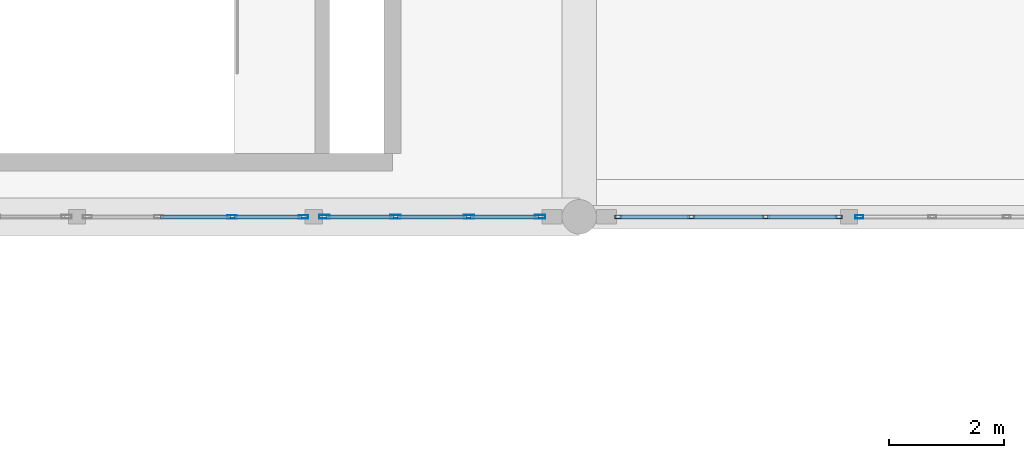
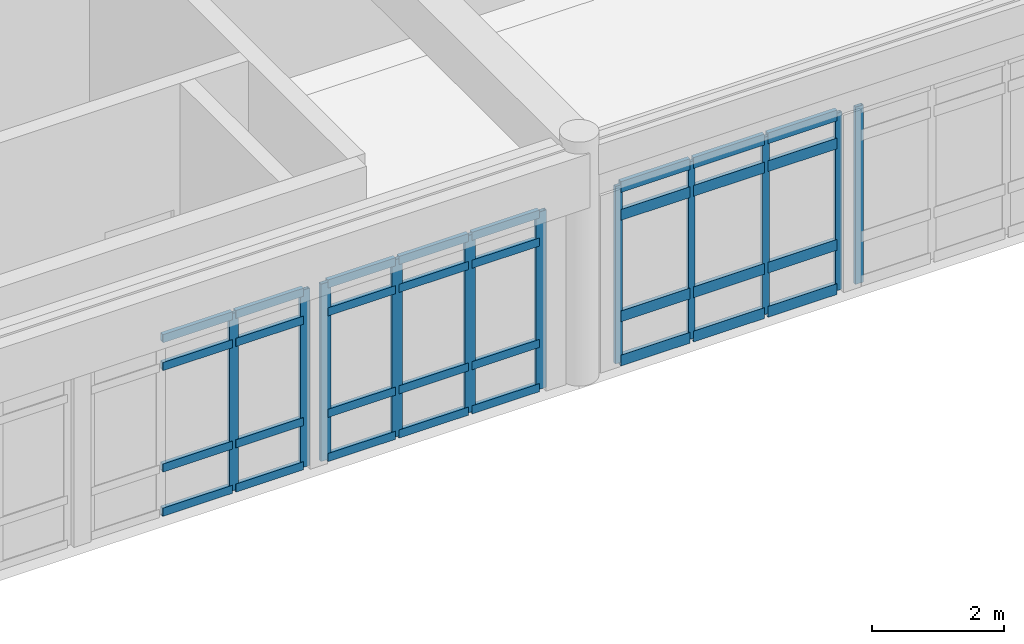
# One storey, part 42 of 109: 43 members, 4 elements without a shape of their own.
"""IFC4 building model written with IfcOpenShell, lengths in metres."""

from ifc_helpers import new_model, si_unit, direction, frame, origin, origin_2d, place, context, subcontext, project, spatial, hollow_rectangle, extrude, material, layer, layer_set, material_profile, profile_set, type_object, element, aggregate, save


model = new_model("IFC4")

# Units and contexts
model_context = context("Model", 3, precision=1e-05, world=origin(), true_north=direction((0.0, 1.0)))
body_context = subcontext(model_context, "Body", "Model", "MODEL_VIEW")
ifc_project = project(units=[si_unit("LENGTHUNIT", "METRE"), si_unit("AREAUNIT", "SQUARE_METRE"), si_unit("VOLUMEUNIT", "CUBIC_METRE"), si_unit("PLANEANGLEUNIT", "RADIAN"), si_unit("MASSUNIT", "GRAM", prefix="KILO")], contexts=[model_context])

# Site, building, storey
site_placement = place(None, origin())
site = spatial("IfcSite", under=ifc_project, at=site_placement, CompositionType="ELEMENT")
building_placement = place(site_placement, origin())
building = spatial("IfcBuilding", under=site, at=building_placement, Name="Fikremerkos Civic Library", CompositionType="ELEMENT")
storey_placement = place(building_placement, frame((0.0, 0.0, 5.39990234375)))
storey = spatial("IfcBuildingStorey", under=building, at=storey_placement, Name="L01", CompositionType="ELEMENT", Elevation=5.39990234375)

# Curtain wall, members
ifc_material = material(Name="Anodized aluminium Frame", Category="aluminium")
ifc_layer_1 = layer(ifc_material, 0.159912109375, Name="Anodized aluminium Frame")
ifc_layer_set_1 = layer_set([ifc_layer_1], Name="Anodized aluminium Frame")
curtain_wall_type_1 = type_object("IfcCurtainWallType", Name="Unitised curtain wall CW-17 4600x3600", PredefinedType="USERDEFINED", material=ifc_layer_set_1)
curtain_wall_1_placement = place(storey_placement, origin())
curtain_wall_1 = element("IfcCurtainWall", 1, at=curtain_wall_1_placement, inside=storey, type_object=curtain_wall_type_1, Name="Unitised curtain wall CW-17 L01 #125", ObjectType="UNITISED CURTAIN WALL", PredefinedType="USERDEFINED")
ifc_material_profile_1 = material_profile(ifc_material, hollow_rectangle(XDim=0.06494140625, YDim=0.179931640625, WallThickness=0.00439453125, at=origin_2d()), Name="ALU 180x65x4.5")
ifc_profile_set_1 = profile_set([ifc_material_profile_1], Name="Anodized aluminium Frame")
member_type_1 = type_object("IfcMemberType", Name="Curtain mullion CWM-01 ALU 180x65x4.5", PredefinedType="MULLION", material=ifc_profile_set_1)
member_1_placement = place(storey_placement, frame((86.01953125, 96.0, 0.0), z_axis=(0.0, 0.0, 1.0), x_axis=(0.0, -1.0, 0.0)))
member_1 = element("IfcMember", 2, at=member_1_placement, type_object=member_type_1, Name="CW-17 mullion 1", PredefinedType="MULLION", context=body_context, shape_type="SweptSolid", body=[
    extrude(hollow_rectangle(XDim=0.06494140625, YDim=0.179931640625, WallThickness=0.00439453125, at=origin_2d()), origin(), (0.0, 0.0, 1.0), 3.27001953125),
])
member_2_placement = place(storey_placement, frame((84.779296875, 96.0, 0.0), z_axis=(0.0, 0.0, 1.0), x_axis=(0.0, -1.0, 0.0)))
member_2 = element("IfcMember", 3, at=member_2_placement, type_object=member_type_1, Name="CW-17 mullion 2", PredefinedType="MULLION", context=body_context, shape_type="SweptSolid", body=[
    extrude(hollow_rectangle(XDim=0.06494140625, YDim=0.179931640625, WallThickness=0.00439453125, at=origin_2d()), origin(), (0.0, 0.0, 1.0), 3.27001953125),
])
member_3_placement = place(storey_placement, frame((83.506591796875, 96.0, 0.0), z_axis=(0.0, 0.0, 1.0), x_axis=(0.0, -1.0, 0.0)))
member_3 = element("IfcMember", 4, at=member_3_placement, type_object=member_type_1, Name="CW-17 mullion 3", PredefinedType="MULLION", context=body_context, shape_type="SweptSolid", body=[
    extrude(hollow_rectangle(XDim=0.06494140625, YDim=0.179931640625, WallThickness=0.00439453125, at=origin_2d()), origin(), (0.0, 0.0, 1.0), 3.27001953125),
])
member_4_placement = place(storey_placement, frame((82.2666015625, 96.0, 0.0), z_axis=(0.0, 0.0, 1.0), x_axis=(0.0, -1.0, 0.0)))
member_4 = element("IfcMember", 5, at=member_4_placement, type_object=member_type_1, Name="CW-17 mullion 4", PredefinedType="MULLION", context=body_context, shape_type="SweptSolid", body=[
    extrude(hollow_rectangle(XDim=0.06494140625, YDim=0.179931640625, WallThickness=0.00439453125, at=origin_2d()), origin(), (0.0, 0.0, 1.0), 3.27001953125),
])

ifc_layer_2 = layer(ifc_material, 0.159912109375, Name="Anodized aluminium Frame")
ifc_layer_set_2 = layer_set([ifc_layer_2], Name="Anodized aluminium Frame")
curtain_wall_type_2 = type_object("IfcCurtainWallType", Name="Unitised curtain wall CW-18 2700x3400", PredefinedType="USERDEFINED", material=ifc_layer_set_2)
curtain_wall_2_placement = place(storey_placement, origin())
curtain_wall_2 = element("IfcCurtainWall", 6, at=curtain_wall_2_placement, inside=storey, type_object=curtain_wall_type_2, Name="Unitised curtain wall CW-18 L01 #126", ObjectType="UNITISED CURTAIN WALL", PredefinedType="USERDEFINED")
ifc_material_profile_2 = material_profile(ifc_material, hollow_rectangle(XDim=0.06005859375, YDim=0.159912109375, WallThickness=0.00390625, at=origin_2d()), Name="ALU 160x60x4")
ifc_profile_set_2 = profile_set([ifc_material_profile_2], Name="Anodized aluminium Frame")
member_type_2 = type_object("IfcMemberType", Name="Curtain mullion CWM-02 ALU 160x60x4", PredefinedType="MULLION", material=ifc_profile_set_2)
member_5_placement = place(storey_placement, frame((81.904052734375, 96.0, 0.0), z_axis=(0.0, 0.0, 1.0), x_axis=(0.0, -1.0, 0.0)))
member_5 = element("IfcMember", 7, at=member_5_placement, type_object=member_type_2, Name="CW-18 mullion 1", PredefinedType="MULLION", context=body_context, shape_type="SweptSolid", body=[
    extrude(hollow_rectangle(XDim=0.06005859375, YDim=0.159912109375, WallThickness=0.00390625, at=origin_2d()), origin(), (0.0, 0.0, 1.0), 3.27001953125),
])
member_6_placement = place(storey_placement, frame((80.661376953125, 96.0, 0.0), z_axis=(0.0, 0.0, 1.0), x_axis=(0.0, -1.0, 0.0)))
member_6 = element("IfcMember", 8, at=member_6_placement, type_object=member_type_2, Name="CW-18 mullion 2", PredefinedType="MULLION", context=body_context, shape_type="SweptSolid", body=[
    extrude(hollow_rectangle(XDim=0.06005859375, YDim=0.159912109375, WallThickness=0.00390625, at=origin_2d()), origin(), (0.0, 0.0, 1.0), 3.27001953125),
])

# Curtain wall, member
ifc_layer_3 = layer(ifc_material, 0.159912109375, Name="Anodized aluminium Frame")
ifc_layer_set_3 = layer_set([ifc_layer_3], Name="Anodized aluminium Frame")
curtain_wall_type_3 = type_object("IfcCurtainWallType", Name="Unitised curtain wall CW-15 2900x3600", PredefinedType="USERDEFINED", material=ifc_layer_set_3)
curtain_wall_3_placement = place(storey_placement, origin())
curtain_wall_3 = element("IfcCurtainWall", 9, at=curtain_wall_3_placement, inside=storey, type_object=curtain_wall_type_3, Name="Unitised curtain wall CW-15 L01 #123", ObjectType="UNITISED CURTAIN WALL", PredefinedType="USERDEFINED")
ifc_material_profile_3 = material_profile(ifc_material, hollow_rectangle(XDim=0.06005859375, YDim=0.139892578125, WallThickness=0.00390625, at=origin_2d()), Name="ALU 140x60x4")
ifc_profile_set_3 = profile_set([ifc_material_profile_3], Name="Anodized aluminium Frame")
member_type_3 = type_object("IfcMemberType", Name="Curtain mullion CWM-03 ALU 140x60x4", PredefinedType="MULLION", material=ifc_profile_set_3)
member_7_placement = place(storey_placement, frame((91.571044921875, 96.0, 0.0), z_axis=(0.0, 0.0, 1.0), x_axis=(0.0, -1.0, 0.0)))
member_7 = element("IfcMember", 10, at=member_7_placement, type_object=member_type_3, Name="CW-15 mullion 4", PredefinedType="MULLION", context=body_context, shape_type="SweptSolid", body=[
    extrude(hollow_rectangle(XDim=0.06005859375, YDim=0.139892578125, WallThickness=0.00390625, at=origin_2d()), origin(), (0.0, 0.0, 1.0), 3.27001953125),
])
aggregate(curtain_wall_3, [member_7])

# Curtain wall, members
ifc_layer_4 = layer(ifc_material, 0.159912109375, Name="Anodized aluminium Frame")
ifc_layer_set_4 = layer_set([ifc_layer_4], Name="Anodized aluminium Frame")
curtain_wall_type_4 = type_object("IfcCurtainWallType", Name="Unitised curtain wall CW-16 3100x4100", PredefinedType="USERDEFINED", material=ifc_layer_set_4)
curtain_wall_4_placement = place(storey_placement, origin())
curtain_wall_4 = element("IfcCurtainWall", 11, at=curtain_wall_4_placement, inside=storey, type_object=curtain_wall_type_4, Name="Unitised curtain wall CW-16 L01 #124", ObjectType="UNITISED CURTAIN WALL", PredefinedType="USERDEFINED")
ifc_material_profile_4 = material_profile(ifc_material, hollow_rectangle(XDim=0.06005859375, YDim=0.1201171875, WallThickness=0.00390625, at=origin_2d()), Name="ALU 120x60x4")
ifc_profile_set_4 = profile_set([ifc_material_profile_4], Name="Anodized aluminium Frame")
member_type_4 = type_object("IfcMemberType", Name="Curtain mullion CWM-04 ALU 120x60x4", PredefinedType="MULLION", material=ifc_profile_set_4)
member_8_placement = place(storey_placement, frame((91.2109375, 96.0, 0.0), z_axis=(0.0, 0.0, 1.0), x_axis=(0.0, -1.0, 0.0)))
member_8 = element("IfcMember", 12, at=member_8_placement, type_object=member_type_4, Name="CW-16 mullion 1", PredefinedType="MULLION", context=body_context, shape_type="SweptSolid", body=[
    extrude(hollow_rectangle(XDim=0.06005859375, YDim=0.1201171875, WallThickness=0.00390625, at=origin_2d()), origin(), (0.0, 0.0, 1.0), 3.27001953125),
])
member_9_placement = place(storey_placement, frame((89.943359375, 96.0, 0.0), z_axis=(0.0, 0.0, 1.0), x_axis=(0.0, -1.0, 0.0)))
member_9 = element("IfcMember", 13, at=member_9_placement, type_object=member_type_4, Name="CW-16 mullion 2", PredefinedType="MULLION", context=body_context, shape_type="SweptSolid", body=[
    extrude(hollow_rectangle(XDim=0.06005859375, YDim=0.1201171875, WallThickness=0.00390625, at=origin_2d()), origin(), (0.0, 0.0, 1.0), 3.27001953125),
])
member_10_placement = place(storey_placement, frame((88.645751953125, 96.0, 0.0), z_axis=(0.0, 0.0, 1.0), x_axis=(0.0, -1.0, 0.0)))
member_10 = element("IfcMember", 14, at=member_10_placement, type_object=member_type_4, Name="CW-16 mullion 3", PredefinedType="MULLION", context=body_context, shape_type="SweptSolid", body=[
    extrude(hollow_rectangle(XDim=0.06005859375, YDim=0.1201171875, WallThickness=0.00390625, at=origin_2d()), origin(), (0.0, 0.0, 1.0), 3.27001953125),
])
member_11_placement = place(storey_placement, frame((87.3779296875, 96.0, 0.0), z_axis=(0.0, 0.0, 1.0), x_axis=(0.0, -1.0, 0.0)))
member_11 = element("IfcMember", 15, at=member_11_placement, type_object=member_type_4, Name="CW-16 mullion 4", PredefinedType="MULLION", context=body_context, shape_type="SweptSolid", body=[
    extrude(hollow_rectangle(XDim=0.06005859375, YDim=0.1201171875, WallThickness=0.00390625, at=origin_2d()), origin(), (0.0, 0.0, 1.0), 3.27001953125),
])

# Member
ifc_material_profile_5 = material_profile(ifc_material, hollow_rectangle(XDim=0.070068359375, YDim=0.14990234375, WallThickness=0.00439453125, at=origin_2d()), Name="ALU 150x70x4.5")
ifc_profile_set_5 = profile_set([ifc_material_profile_5], Name="Anodized aluminium Frame")
member_type_5 = type_object("IfcMemberType", Name="Curtain transom CWT-01 ALU 150x70x4.5", PredefinedType="USERDEFINED", material=ifc_profile_set_5)
member_12_placement = place(storey_placement, frame((85.987060546875, 96.0, 0.03515625), z_axis=(-1.0, 0.0, 0.0), x_axis=(0.0, -1.0, 0.0)))
member_12 = element("IfcMember", 16, at=member_12_placement, type_object=member_type_5, Name="CW-17 transom 1.1", ObjectType="TRANSOM", PredefinedType="USERDEFINED", context=body_context, shape_type="SweptSolid", body=[
    extrude(hollow_rectangle(XDim=0.070068359375, YDim=0.14990234375, WallThickness=0.00439453125, at=origin_2d()), origin(), (0.0, 0.0, 1.0), 1.17529296875),
])

member_13_placement = place(storey_placement, frame((85.987060546875, 96.0, 0.85009765625), z_axis=(-1.0, 0.0, 0.0), x_axis=(0.0, -1.0, 0.0)))
member_13 = element("IfcMember", 17, at=member_13_placement, type_object=member_type_5, Name="CW-17 transom 1.2", ObjectType="TRANSOM", PredefinedType="USERDEFINED", context=body_context, shape_type="SweptSolid", body=[
    extrude(hollow_rectangle(XDim=0.070068359375, YDim=0.14990234375, WallThickness=0.00439453125, at=origin_2d()), origin(), (0.0, 0.0, 1.0), 1.17529296875),
])

member_14_placement = place(storey_placement, frame((85.987060546875, 96.0, 2.72021484375), z_axis=(-1.0, 0.0, 0.0), x_axis=(0.0, -1.0, 0.0)))
member_14 = element("IfcMember", 18, at=member_14_placement, type_object=member_type_5, Name="CW-17 transom 1.3", ObjectType="TRANSOM", PredefinedType="USERDEFINED", context=body_context, shape_type="SweptSolid", body=[
    extrude(hollow_rectangle(XDim=0.070068359375, YDim=0.14990234375, WallThickness=0.00439453125, at=origin_2d()), origin(), (0.0, 0.0, 1.0), 1.17529296875),
])

member_15_placement = place(storey_placement, frame((85.987060546875, 96.0, 3.235107421875), z_axis=(-1.0, 0.0, 0.0), x_axis=(0.0, -1.0, 0.0)))
member_15 = element("IfcMember", 19, at=member_15_placement, type_object=member_type_5, Name="CW-17 transom 1.4", ObjectType="TRANSOM", PredefinedType="USERDEFINED", context=body_context, shape_type="SweptSolid", body=[
    extrude(hollow_rectangle(XDim=0.070068359375, YDim=0.14990234375, WallThickness=0.00439453125, at=origin_2d()), origin(), (0.0, 0.0, 1.0), 1.17529296875),
])

member_16_placement = place(storey_placement, frame((84.746826171875, 96.0, 0.03515625), z_axis=(-1.0, 0.0, 0.0), x_axis=(0.0, -1.0, 0.0)))
member_16 = element("IfcMember", 20, at=member_16_placement, type_object=member_type_5, Name="CW-17 transom 2.1", ObjectType="TRANSOM", PredefinedType="USERDEFINED", context=body_context, shape_type="SweptSolid", body=[
    extrude(hollow_rectangle(XDim=0.070068359375, YDim=0.14990234375, WallThickness=0.00439453125, at=origin_2d()), origin(), (0.0, 0.0, 1.0), 1.207763671875),
])

member_17_placement = place(storey_placement, frame((84.746826171875, 96.0, 0.85009765625), z_axis=(-1.0, 0.0, 0.0), x_axis=(0.0, -1.0, 0.0)))
member_17 = element("IfcMember", 21, at=member_17_placement, type_object=member_type_5, Name="CW-17 transom 2.2", ObjectType="TRANSOM", PredefinedType="USERDEFINED", context=body_context, shape_type="SweptSolid", body=[
    extrude(hollow_rectangle(XDim=0.070068359375, YDim=0.14990234375, WallThickness=0.00439453125, at=origin_2d()), origin(), (0.0, 0.0, 1.0), 1.207763671875),
])

member_18_placement = place(storey_placement, frame((84.746826171875, 96.0, 2.72021484375), z_axis=(-1.0, 0.0, 0.0), x_axis=(0.0, -1.0, 0.0)))
member_18 = element("IfcMember", 22, at=member_18_placement, type_object=member_type_5, Name="CW-17 transom 2.3", ObjectType="TRANSOM", PredefinedType="USERDEFINED", context=body_context, shape_type="SweptSolid", body=[
    extrude(hollow_rectangle(XDim=0.070068359375, YDim=0.14990234375, WallThickness=0.00439453125, at=origin_2d()), origin(), (0.0, 0.0, 1.0), 1.207763671875),
])

member_19_placement = place(storey_placement, frame((84.746826171875, 96.0, 3.235107421875), z_axis=(-1.0, 0.0, 0.0), x_axis=(0.0, -1.0, 0.0)))
member_19 = element("IfcMember", 23, at=member_19_placement, type_object=member_type_5, Name="CW-17 transom 2.4", ObjectType="TRANSOM", PredefinedType="USERDEFINED", context=body_context, shape_type="SweptSolid", body=[
    extrude(hollow_rectangle(XDim=0.070068359375, YDim=0.14990234375, WallThickness=0.00439453125, at=origin_2d()), origin(), (0.0, 0.0, 1.0), 1.207763671875),
])

member_20_placement = place(storey_placement, frame((83.47412109375, 96.0, 0.03515625), z_axis=(-1.0, 0.0, 0.0), x_axis=(0.0, -1.0, 0.0)))
member_20 = element("IfcMember", 24, at=member_20_placement, type_object=member_type_5, Name="CW-17 transom 3.1", ObjectType="TRANSOM", PredefinedType="USERDEFINED", context=body_context, shape_type="SweptSolid", body=[
    extrude(hollow_rectangle(XDim=0.070068359375, YDim=0.14990234375, WallThickness=0.00439453125, at=origin_2d()), origin(), (0.0, 0.0, 1.0), 1.175048828125),
])

member_21_placement = place(storey_placement, frame((83.47412109375, 96.0, 0.85009765625), z_axis=(-1.0, 0.0, 0.0), x_axis=(0.0, -1.0, 0.0)))
member_21 = element("IfcMember", 25, at=member_21_placement, type_object=member_type_5, Name="CW-17 transom 3.2", ObjectType="TRANSOM", PredefinedType="USERDEFINED", context=body_context, shape_type="SweptSolid", body=[
    extrude(hollow_rectangle(XDim=0.070068359375, YDim=0.14990234375, WallThickness=0.00439453125, at=origin_2d()), origin(), (0.0, 0.0, 1.0), 1.175048828125),
])

member_22_placement = place(storey_placement, frame((83.47412109375, 96.0, 2.72021484375), z_axis=(-1.0, 0.0, 0.0), x_axis=(0.0, -1.0, 0.0)))
member_22 = element("IfcMember", 26, at=member_22_placement, type_object=member_type_5, Name="CW-17 transom 3.3", ObjectType="TRANSOM", PredefinedType="USERDEFINED", context=body_context, shape_type="SweptSolid", body=[
    extrude(hollow_rectangle(XDim=0.070068359375, YDim=0.14990234375, WallThickness=0.00439453125, at=origin_2d()), origin(), (0.0, 0.0, 1.0), 1.175048828125),
])

member_23_placement = place(storey_placement, frame((83.47412109375, 96.0, 3.235107421875), z_axis=(-1.0, 0.0, 0.0), x_axis=(0.0, -1.0, 0.0)))
member_23 = element("IfcMember", 27, at=member_23_placement, type_object=member_type_5, Name="CW-17 transom 3.4", ObjectType="TRANSOM", PredefinedType="USERDEFINED", context=body_context, shape_type="SweptSolid", body=[
    extrude(hollow_rectangle(XDim=0.070068359375, YDim=0.14990234375, WallThickness=0.00439453125, at=origin_2d()), origin(), (0.0, 0.0, 1.0), 1.175048828125),
])

aggregate(curtain_wall_1, [member_1, member_2, member_3, member_4, member_12, member_13, member_14, member_15, member_16, member_17, member_18, member_19, member_20, member_21, member_22, member_23])

member_24_placement = place(storey_placement, frame((81.8740234375, 96.0, 0.03515625), z_axis=(-1.0, 0.0, 0.0), x_axis=(0.0, -1.0, 0.0)))
member_24 = element("IfcMember", 28, at=member_24_placement, type_object=member_type_5, Name="CW-18 transom 1.1", ObjectType="TRANSOM", PredefinedType="USERDEFINED", context=body_context, shape_type="SweptSolid", body=[
    extrude(hollow_rectangle(XDim=0.070068359375, YDim=0.14990234375, WallThickness=0.00439453125, at=origin_2d()), origin(), (0.0, 0.0, 1.0), 1.1826171875),
])

member_25_placement = place(storey_placement, frame((81.8740234375, 96.0, 0.85009765625), z_axis=(-1.0, 0.0, 0.0), x_axis=(0.0, -1.0, 0.0)))
member_25 = element("IfcMember", 29, at=member_25_placement, type_object=member_type_5, Name="CW-18 transom 1.2", ObjectType="TRANSOM", PredefinedType="USERDEFINED", context=body_context, shape_type="SweptSolid", body=[
    extrude(hollow_rectangle(XDim=0.070068359375, YDim=0.14990234375, WallThickness=0.00439453125, at=origin_2d()), origin(), (0.0, 0.0, 1.0), 1.1826171875),
])

member_26_placement = place(storey_placement, frame((81.8740234375, 96.0, 2.72021484375), z_axis=(-1.0, 0.0, 0.0), x_axis=(0.0, -1.0, 0.0)))
member_26 = element("IfcMember", 30, at=member_26_placement, type_object=member_type_5, Name="CW-18 transom 1.3", ObjectType="TRANSOM", PredefinedType="USERDEFINED", context=body_context, shape_type="SweptSolid", body=[
    extrude(hollow_rectangle(XDim=0.070068359375, YDim=0.14990234375, WallThickness=0.00439453125, at=origin_2d()), origin(), (0.0, 0.0, 1.0), 1.1826171875),
])

member_27_placement = place(storey_placement, frame((81.8740234375, 96.0, 3.235107421875), z_axis=(-1.0, 0.0, 0.0), x_axis=(0.0, -1.0, 0.0)))
member_27 = element("IfcMember", 31, at=member_27_placement, type_object=member_type_5, Name="CW-18 transom 1.4", ObjectType="TRANSOM", PredefinedType="USERDEFINED", context=body_context, shape_type="SweptSolid", body=[
    extrude(hollow_rectangle(XDim=0.070068359375, YDim=0.14990234375, WallThickness=0.00439453125, at=origin_2d()), origin(), (0.0, 0.0, 1.0), 1.1826171875),
])

member_28_placement = place(storey_placement, frame((80.63134765625, 96.0, 0.03515625), z_axis=(-1.0, 0.0, 0.0), x_axis=(0.0, -1.0, 0.0)))
member_28 = element("IfcMember", 32, at=member_28_placement, type_object=member_type_5, Name="CW-18 transom 2.1", ObjectType="TRANSOM", PredefinedType="USERDEFINED", context=body_context, shape_type="SweptSolid", body=[
    extrude(hollow_rectangle(XDim=0.070068359375, YDim=0.14990234375, WallThickness=0.00439453125, at=origin_2d()), origin(), (0.0, 0.0, 1.0), 1.212646484375),
])

member_29_placement = place(storey_placement, frame((80.63134765625, 96.0, 0.85009765625), z_axis=(-1.0, 0.0, 0.0), x_axis=(0.0, -1.0, 0.0)))
member_29 = element("IfcMember", 33, at=member_29_placement, type_object=member_type_5, Name="CW-18 transom 2.2", ObjectType="TRANSOM", PredefinedType="USERDEFINED", context=body_context, shape_type="SweptSolid", body=[
    extrude(hollow_rectangle(XDim=0.070068359375, YDim=0.14990234375, WallThickness=0.00439453125, at=origin_2d()), origin(), (0.0, 0.0, 1.0), 1.212646484375),
])

member_30_placement = place(storey_placement, frame((80.63134765625, 96.0, 2.72021484375), z_axis=(-1.0, 0.0, 0.0), x_axis=(0.0, -1.0, 0.0)))
member_30 = element("IfcMember", 34, at=member_30_placement, type_object=member_type_5, Name="CW-18 transom 2.3", ObjectType="TRANSOM", PredefinedType="USERDEFINED", context=body_context, shape_type="SweptSolid", body=[
    extrude(hollow_rectangle(XDim=0.070068359375, YDim=0.14990234375, WallThickness=0.00439453125, at=origin_2d()), origin(), (0.0, 0.0, 1.0), 1.212646484375),
])

member_31_placement = place(storey_placement, frame((80.63134765625, 96.0, 3.235107421875), z_axis=(-1.0, 0.0, 0.0), x_axis=(0.0, -1.0, 0.0)))
member_31 = element("IfcMember", 35, at=member_31_placement, type_object=member_type_5, Name="CW-18 transom 2.4", ObjectType="TRANSOM", PredefinedType="USERDEFINED", context=body_context, shape_type="SweptSolid", body=[
    extrude(hollow_rectangle(XDim=0.070068359375, YDim=0.14990234375, WallThickness=0.00439453125, at=origin_2d()), origin(), (0.0, 0.0, 1.0), 1.212646484375),
])

aggregate(curtain_wall_2, [member_5, member_6, member_24, member_25, member_26, member_27, member_28, member_29, member_30, member_31])

ifc_material_profile_6 = material_profile(ifc_material, hollow_rectangle(XDim=0.070068359375, YDim=0.199951171875, WallThickness=0.0048828125, at=origin_2d()), Name="ALU 200x70x5")
ifc_profile_set_6 = profile_set([ifc_material_profile_6], Name="Anodized aluminium Frame")
member_type_6 = type_object("IfcMemberType", Name="Curtain transom CWT-04 ALU 200x70x5", PredefinedType="USERDEFINED", material=ifc_profile_set_6)
member_32_placement = place(storey_placement, frame((91.180908203125, 96.0, 0.03515625), z_axis=(-1.0, 0.0, 0.0), x_axis=(0.0, -1.0, 0.0)))
member_32 = element("IfcMember", 36, at=member_32_placement, type_object=member_type_6, Name="CW-16 transom 1.1", ObjectType="TRANSOM", PredefinedType="USERDEFINED", context=body_context, shape_type="SweptSolid", body=[
    extrude(hollow_rectangle(XDim=0.070068359375, YDim=0.199951171875, WallThickness=0.0048828125, at=origin_2d()), origin(), (0.0, 0.0, 1.0), 1.20751953125),
])

member_33_placement = place(storey_placement, frame((91.180908203125, 96.0, 0.85009765625), z_axis=(-1.0, 0.0, 0.0), x_axis=(0.0, -1.0, 0.0)))
member_33 = element("IfcMember", 37, at=member_33_placement, type_object=member_type_6, Name="CW-16 transom 1.2", ObjectType="TRANSOM", PredefinedType="USERDEFINED", context=body_context, shape_type="SweptSolid", body=[
    extrude(hollow_rectangle(XDim=0.070068359375, YDim=0.199951171875, WallThickness=0.0048828125, at=origin_2d()), origin(), (0.0, 0.0, 1.0), 1.20751953125),
])

member_34_placement = place(storey_placement, frame((91.180908203125, 96.0, 2.72021484375), z_axis=(-1.0, 0.0, 0.0), x_axis=(0.0, -1.0, 0.0)))
member_34 = element("IfcMember", 38, at=member_34_placement, type_object=member_type_6, Name="CW-16 transom 1.3", ObjectType="TRANSOM", PredefinedType="USERDEFINED", context=body_context, shape_type="SweptSolid", body=[
    extrude(hollow_rectangle(XDim=0.070068359375, YDim=0.199951171875, WallThickness=0.0048828125, at=origin_2d()), origin(), (0.0, 0.0, 1.0), 1.20751953125),
])

member_35_placement = place(storey_placement, frame((91.180908203125, 96.0, 3.235107421875), z_axis=(-1.0, 0.0, 0.0), x_axis=(0.0, -1.0, 0.0)))
member_35 = element("IfcMember", 39, at=member_35_placement, type_object=member_type_6, Name="CW-16 transom 1.4", ObjectType="TRANSOM", PredefinedType="USERDEFINED", context=body_context, shape_type="SweptSolid", body=[
    extrude(hollow_rectangle(XDim=0.070068359375, YDim=0.199951171875, WallThickness=0.0048828125, at=origin_2d()), origin(), (0.0, 0.0, 1.0), 1.20751953125),
])

member_36_placement = place(storey_placement, frame((89.913330078125, 96.0, 0.03515625), z_axis=(-1.0, 0.0, 0.0), x_axis=(0.0, -1.0, 0.0)))
member_36 = element("IfcMember", 40, at=member_36_placement, type_object=member_type_6, Name="CW-16 transom 2.1", ObjectType="TRANSOM", PredefinedType="USERDEFINED", context=body_context, shape_type="SweptSolid", body=[
    extrude(hollow_rectangle(XDim=0.070068359375, YDim=0.199951171875, WallThickness=0.0048828125, at=origin_2d()), origin(), (0.0, 0.0, 1.0), 1.237548828125),
])

member_37_placement = place(storey_placement, frame((89.913330078125, 96.0, 0.85009765625), z_axis=(-1.0, 0.0, 0.0), x_axis=(0.0, -1.0, 0.0)))
member_37 = element("IfcMember", 41, at=member_37_placement, type_object=member_type_6, Name="CW-16 transom 2.2", ObjectType="TRANSOM", PredefinedType="USERDEFINED", context=body_context, shape_type="SweptSolid", body=[
    extrude(hollow_rectangle(XDim=0.070068359375, YDim=0.199951171875, WallThickness=0.0048828125, at=origin_2d()), origin(), (0.0, 0.0, 1.0), 1.237548828125),
])

member_38_placement = place(storey_placement, frame((89.913330078125, 96.0, 2.72021484375), z_axis=(-1.0, 0.0, 0.0), x_axis=(0.0, -1.0, 0.0)))
member_38 = element("IfcMember", 42, at=member_38_placement, type_object=member_type_6, Name="CW-16 transom 2.3", ObjectType="TRANSOM", PredefinedType="USERDEFINED", context=body_context, shape_type="SweptSolid", body=[
    extrude(hollow_rectangle(XDim=0.070068359375, YDim=0.199951171875, WallThickness=0.0048828125, at=origin_2d()), origin(), (0.0, 0.0, 1.0), 1.237548828125),
])

member_39_placement = place(storey_placement, frame((89.913330078125, 96.0, 3.235107421875), z_axis=(-1.0, 0.0, 0.0), x_axis=(0.0, -1.0, 0.0)))
member_39 = element("IfcMember", 43, at=member_39_placement, type_object=member_type_6, Name="CW-16 transom 2.4", ObjectType="TRANSOM", PredefinedType="USERDEFINED", context=body_context, shape_type="SweptSolid", body=[
    extrude(hollow_rectangle(XDim=0.070068359375, YDim=0.199951171875, WallThickness=0.0048828125, at=origin_2d()), origin(), (0.0, 0.0, 1.0), 1.237548828125),
])

member_40_placement = place(storey_placement, frame((88.61572265625, 96.0, 0.03515625), z_axis=(-1.0, 0.0, 0.0), x_axis=(0.0, -1.0, 0.0)))
member_40 = element("IfcMember", 44, at=member_40_placement, type_object=member_type_6, Name="CW-16 transom 3.1", ObjectType="TRANSOM", PredefinedType="USERDEFINED", context=body_context, shape_type="SweptSolid", body=[
    extrude(hollow_rectangle(XDim=0.070068359375, YDim=0.199951171875, WallThickness=0.0048828125, at=origin_2d()), origin(), (0.0, 0.0, 1.0), 1.207763671875),
])

member_41_placement = place(storey_placement, frame((88.61572265625, 96.0, 0.85009765625), z_axis=(-1.0, 0.0, 0.0), x_axis=(0.0, -1.0, 0.0)))
member_41 = element("IfcMember", 45, at=member_41_placement, type_object=member_type_6, Name="CW-16 transom 3.2", ObjectType="TRANSOM", PredefinedType="USERDEFINED", context=body_context, shape_type="SweptSolid", body=[
    extrude(hollow_rectangle(XDim=0.070068359375, YDim=0.199951171875, WallThickness=0.0048828125, at=origin_2d()), origin(), (0.0, 0.0, 1.0), 1.207763671875),
])

member_42_placement = place(storey_placement, frame((88.61572265625, 96.0, 2.72021484375), z_axis=(-1.0, 0.0, 0.0), x_axis=(0.0, -1.0, 0.0)))
member_42 = element("IfcMember", 46, at=member_42_placement, type_object=member_type_6, Name="CW-16 transom 3.3", ObjectType="TRANSOM", PredefinedType="USERDEFINED", context=body_context, shape_type="SweptSolid", body=[
    extrude(hollow_rectangle(XDim=0.070068359375, YDim=0.199951171875, WallThickness=0.0048828125, at=origin_2d()), origin(), (0.0, 0.0, 1.0), 1.207763671875),
])

member_43_placement = place(storey_placement, frame((88.61572265625, 96.0, 3.235107421875), z_axis=(-1.0, 0.0, 0.0), x_axis=(0.0, -1.0, 0.0)))
member_43 = element("IfcMember", 47, at=member_43_placement, type_object=member_type_6, Name="CW-16 transom 3.4", ObjectType="TRANSOM", PredefinedType="USERDEFINED", context=body_context, shape_type="SweptSolid", body=[
    extrude(hollow_rectangle(XDim=0.070068359375, YDim=0.199951171875, WallThickness=0.0048828125, at=origin_2d()), origin(), (0.0, 0.0, 1.0), 1.207763671875),
])

aggregate(curtain_wall_4, [member_8, member_9, member_10, member_11, member_32, member_33, member_34, member_35, member_36, member_37, member_38, member_39, member_40, member_41, member_42, member_43])

save(model, "model.ifc")
